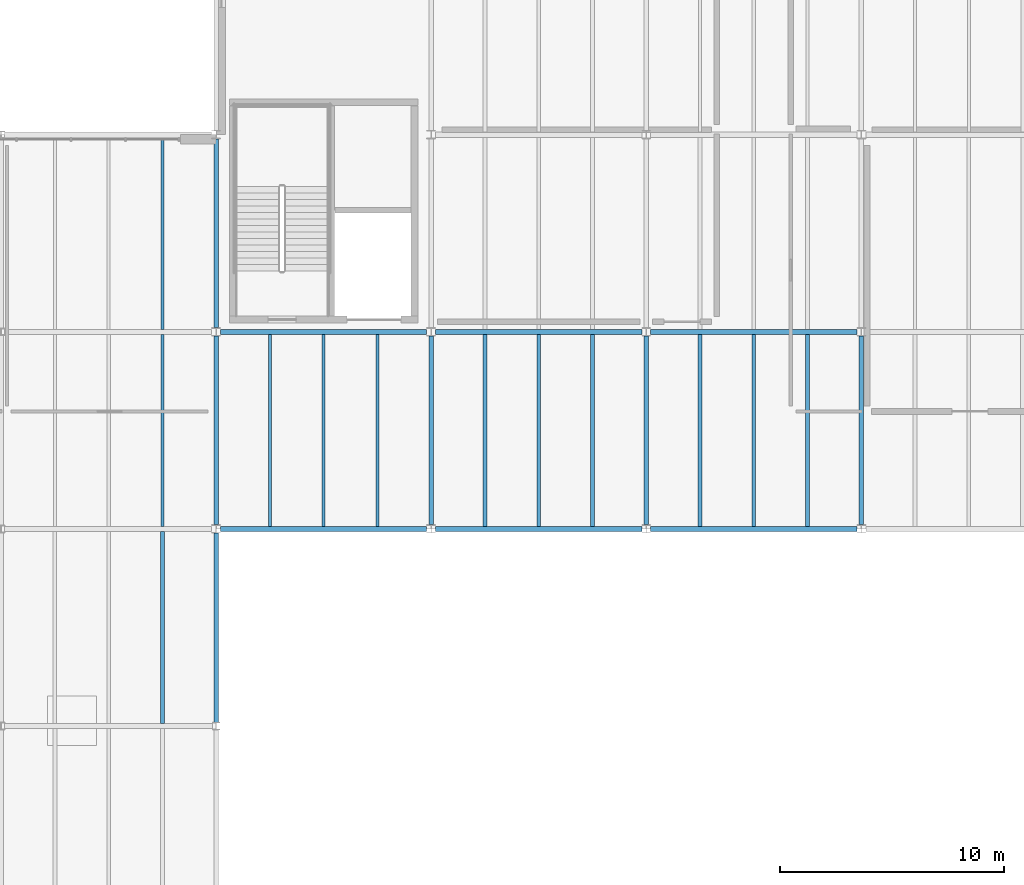
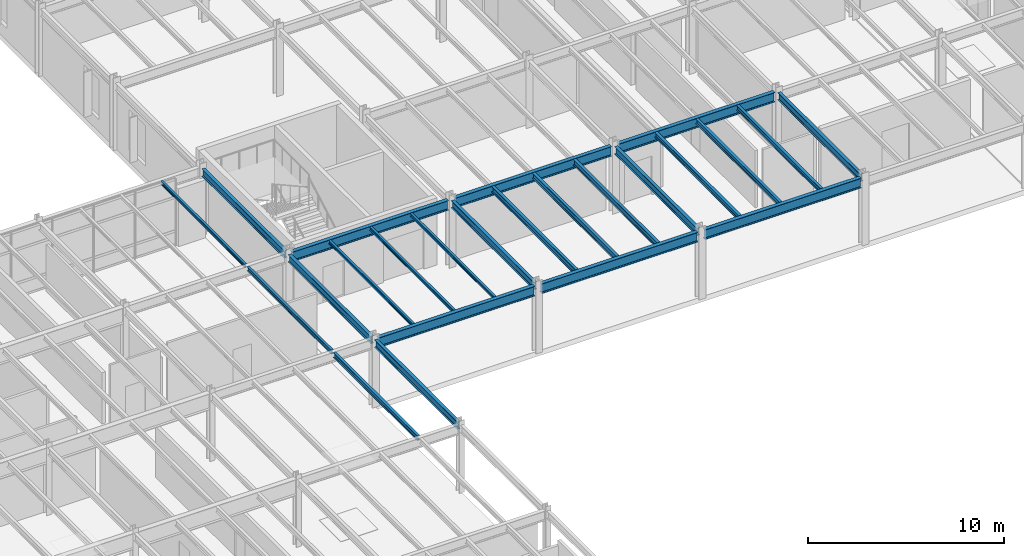
# One storey, part 32 of 77: 24 beams.
"""IFC4 building model written with IfcOpenShell, lengths in metres."""

from ifc_helpers import new_model, si_unit, direction, frame, origin, origin_2d, place, context, subcontext, project, spatial, i_section, extrude, material, material_profile, profile_set, type_object, element, save


model = new_model("IFC4")

# Units and contexts
model_context = context("Model", 3, precision=1e-05, world=origin(), true_north=direction((0.0, 1.0)))
body_context = subcontext(model_context, "Body", "Model", "MODEL_VIEW")
ifc_project = project(units=[si_unit("LENGTHUNIT", "METRE"), si_unit("AREAUNIT", "SQUARE_METRE"), si_unit("VOLUMEUNIT", "CUBIC_METRE"), si_unit("PLANEANGLEUNIT", "RADIAN"), si_unit("MASSUNIT", "GRAM", prefix="KILO")], contexts=[model_context])

# Site, building, storey
site_placement = place(None, origin())
site = spatial("IfcSite", under=ifc_project, at=site_placement, CompositionType="ELEMENT")
building_placement = place(site_placement, origin())
building = spatial("IfcBuilding", under=site, at=building_placement, Name="Sarnbrook Museum", CompositionType="ELEMENT")
storey_placement = place(building_placement, frame((0.0, 0.0, 5.60009765625)))
storey = spatial("IfcBuildingStorey", under=building, at=storey_placement, Name="L01", CompositionType="ELEMENT", Elevation=5.60009765625)

# Beams
ifc_material = material(Name="Structural Steel Grade 300PLUS (AS/NZS 3679.1, fy = 280 MPa for 17 < t <= 40 mm, 300 MPa for t <= 17 mm)", Category="steel")
ifc_material_profile_1 = material_profile(ifc_material, i_section(OverallWidth=0.18994140625, OverallDepth=0.45703125, WebThickness=0.009033203125, FlangeThickness=0.014404296875, FilletRadius=0.011474609375, at=origin_2d()), Name="460UB74.6")
ifc_profile_set_1 = profile_set([ifc_material_profile_1], Name="Structural Steel Grade 300PLUS (AS/NZS 3679.1, fy = 280 MPa for 17 < t <= 40 mm, 300 MPa for t <= 17 mm)")
beam_type_1 = type_object("IfcBeamType", Name="BM-UB460", PredefinedType="BEAM", material=ifc_profile_set_1)
beam_1_placement = place(storey_placement, frame((42.39990234375, 65.763427734375, 3.991455078125), z_axis=(0.0, 1.0, 0.0), x_axis=(-1.0, 0.0, 0.0)))
element("IfcBeam", 1, at=beam_1_placement, inside=storey, type_object=beam_type_1, Name="Girder 5:H-J L01", PredefinedType="BEAM", context=body_context, shape_type="SweptSolid", body=[
    extrude(i_section(OverallWidth=0.18994140625, OverallDepth=0.45703125, WebThickness=0.009033203125, FlangeThickness=0.014404296875, FilletRadius=0.011474609375, at=origin_2d()), origin(), (0.0, 0.0, 1.0), 8.445556640625),
])
for number, where, z_axis, x_axis, name in (
    (2, (42.39990234375, 74.591064453125, 3.951416015625), (0.0, 1.0, 0.0), (-1.0, 0.0, 0.0), "Girder 5:J-K L01"),
    (3, (42.39990234375, 83.39111328125, 3.951416015625), (0.0, 1.0, 0.0), (-1.0, 0.0, 0.0), "Girder 5:K-L L01"),
    (4, (52.0, 74.591064453125, 3.951416015625), (0.0, 1.0, 0.0), (-1.0, 0.0, 0.0), "Girder 6:J-K L01"),
    (5, (61.60009765625, 74.591064453125, 3.951416015625), (0.0, 1.0, 0.0), (-1.0, 0.0, 0.0), "Girder 7:J-K L01"),
    (6, (71.199951171875, 74.591064453125, 3.951416015625), (0.0, 1.0, 0.0), (-1.0, 0.0, 0.0), "Girder 8:J-K L01"),
):
    element("IfcBeam", number, at=place(storey_placement, frame(where, z_axis=z_axis, x_axis=x_axis)), inside=storey, type_object=beam_type_1, Name=name, PredefinedType="BEAM", context=body_context, shape_type="SweptSolid", body=[
        extrude(i_section(OverallWidth=0.18994140625, OverallDepth=0.45703125, WebThickness=0.009033203125, FlangeThickness=0.014404296875, FilletRadius=0.011474609375, at=origin_2d()), origin(), (0.0, 0.0, 1.0), 8.41796875),
    ])
ifc_material_profile_2 = material_profile(ifc_material, i_section(OverallWidth=0.22802734375, OverallDepth=0.60693359375, WebThickness=0.01123046875, FlangeThickness=0.017333984375, FilletRadius=0.013916015625, at=origin_2d()), Name="610UB113")
ifc_profile_set_2 = profile_set([ifc_material_profile_2], Name="Structural Steel Grade 300PLUS (AS/NZS 3679.1, fy = 280 MPa for 17 < t <= 40 mm, 300 MPa for t <= 17 mm)")
beam_type_2 = type_object("IfcBeamType", Name="BM-UB610", PredefinedType="BEAM", material=ifc_profile_set_2)
for number, where, z_axis, x_axis, name in (
    (7, (42.60009765625, 74.39990234375, 3.87646484375), (1.0, 0.0, 0.0), (0.0, 1.0, 0.0), "Girder J:5-6 L01"),
    (8, (52.199951171875, 74.39990234375, 3.87646484375), (1.0, 0.0, 0.0), (0.0, 1.0, 0.0), "Girder J:6-7 L01"),
    (9, (61.800048828125, 74.39990234375, 3.87646484375), (1.0, 0.0, 0.0), (0.0, 1.0, 0.0), "Girder J:7-8 L01"),
    (10, (42.60009765625, 83.199951171875, 3.87646484375), (1.0, 0.0, 0.0), (0.0, 1.0, 0.0), "Girder K:5-6 L01"),
    (11, (52.199951171875, 83.199951171875, 3.87646484375), (1.0, 0.0, 0.0), (0.0, 1.0, 0.0), "Girder K:6-7 L01"),
    (12, (61.800048828125, 83.199951171875, 3.87646484375), (1.0, 0.0, 0.0), (0.0, 1.0, 0.0), "Girder K:7-8 L01"),
):
    element("IfcBeam", number, at=place(storey_placement, frame(where, z_axis=z_axis, x_axis=x_axis)), inside=storey, type_object=beam_type_2, Name=name, PredefinedType="BEAM", context=body_context, shape_type="SweptSolid", body=[
        extrude(i_section(OverallWidth=0.22802734375, OverallDepth=0.60693359375, WebThickness=0.01123046875, FlangeThickness=0.017333984375, FilletRadius=0.013916015625, at=origin_2d()), origin(), (0.0, 0.0, 1.0), 9.199951171875),
    ])
ifc_material_profile_3 = material_profile(ifc_material, i_section(OverallWidth=0.134033203125, OverallDepth=0.20703125, WebThickness=0.00634765625, FlangeThickness=0.009521484375, FilletRadius=0.0087890625, at=origin_2d()), Name="200UB29.8")
ifc_profile_set_3 = profile_set([ifc_material_profile_3], Name="Structural Steel Grade 300PLUS (AS/NZS 3679.1, fy = 280 MPa for 17 < t <= 40 mm, 300 MPa for t <= 17 mm)")
beam_type_3 = type_object("IfcBeamType", Name="JS-UB200", PredefinedType="JOIST", material=ifc_profile_set_3)
for number, where, z_axis, x_axis, name in (
    (13, (40.0, 83.31396484375, 4.116455078125), (0.0, 1.0, 0.0), (-1.0, 0.0, 0.0), "Composite Floor Joist 4K-3 L01"),
    (14, (44.800048828125, 74.513916015625, 4.076416015625), (0.0, 1.0, 0.0), (-1.0, 0.0, 0.0), "Composite Floor Joist 5J-1 L01"),
    (15, (47.199951171875, 74.513916015625, 4.076416015625), (0.0, 1.0, 0.0), (-1.0, 0.0, 0.0), "Composite Floor Joist 5J-2 L01"),
    (16, (49.60009765625, 74.513916015625, 4.076416015625), (0.0, 1.0, 0.0), (-1.0, 0.0, 0.0), "Composite Floor Joist 5J-3 L01"),
):
    element("IfcBeam", number, at=place(storey_placement, frame(where, z_axis=z_axis, x_axis=x_axis)), inside=storey, type_object=beam_type_3, Name=name, PredefinedType="JOIST", context=body_context, shape_type="SweptSolid", body=[
        extrude(i_section(OverallWidth=0.134033203125, OverallDepth=0.20703125, WebThickness=0.00634765625, FlangeThickness=0.009521484375, FilletRadius=0.0087890625, at=origin_2d()), origin(), (0.0, 0.0, 1.0), 8.572021484375),
    ])
ifc_material_profile_4 = material_profile(ifc_material, i_section(OverallWidth=0.14599609375, OverallDepth=0.256103515625, WebThickness=0.00634765625, FlangeThickness=0.010986328125, FilletRadius=0.0087890625, at=origin_2d()), Name="250UB37.3")
ifc_profile_set_4 = profile_set([ifc_material_profile_4], Name="Structural Steel Grade 300PLUS (AS/NZS 3679.1, fy = 280 MPa for 17 < t <= 40 mm, 300 MPa for t <= 17 mm)")
beam_type_4 = type_object("IfcBeamType", Name="JS-UB250", PredefinedType="JOIST", material=ifc_profile_set_4)
beam_2_placement = place(storey_placement, frame((40.0, 74.513916015625, 4.091796875), z_axis=(0.0, 1.0, 0.0), x_axis=(-1.0, 0.0, 0.0)))
element("IfcBeam", 17, at=beam_2_placement, inside=storey, type_object=beam_type_4, Name="Composite Floor Joist 4J-3 L01", PredefinedType="JOIST", context=body_context, shape_type="SweptSolid", body=[
    extrude(i_section(OverallWidth=0.14599609375, OverallDepth=0.256103515625, WebThickness=0.00634765625, FlangeThickness=0.010986328125, FilletRadius=0.0087890625, at=origin_2d()), origin(), (0.0, 0.0, 1.0), 8.572021484375),
])
ifc_material_profile_5 = material_profile(ifc_material, i_section(OverallWidth=0.1650390625, OverallDepth=0.303955078125, WebThickness=0.006103515625, FlangeThickness=0.01025390625, FilletRadius=0.011474609375, at=origin_2d()), Name="310UB40.4")
ifc_profile_set_5 = profile_set([ifc_material_profile_5], Name="Structural Steel Grade 300PLUS (AS/NZS 3679.1, fy = 280 MPa for 17 < t <= 40 mm, 300 MPa for t <= 17 mm)")
beam_type_5 = type_object("IfcBeamType", Name="JS-UB310", PredefinedType="JOIST", material=ifc_profile_set_5)
beam_3_placement = place(storey_placement, frame((40.0, 65.714111328125, 4.06787109375), z_axis=(0.0, 1.0, 0.0), x_axis=(-1.0, 0.0, 0.0)))
element("IfcBeam", 18, at=beam_3_placement, inside=storey, type_object=beam_type_5, Name="Composite Floor Joist 4H-3 L01", PredefinedType="JOIST", context=body_context, shape_type="SweptSolid", body=[
    extrude(i_section(OverallWidth=0.1650390625, OverallDepth=0.303955078125, WebThickness=0.006103515625, FlangeThickness=0.01025390625, FilletRadius=0.011474609375, at=origin_2d()), origin(), (0.0, 0.0, 1.0), 8.57177734375),
])
ifc_material_profile_6 = material_profile(ifc_material, i_section(OverallWidth=0.166015625, OverallDepth=0.306884765625, WebThickness=0.006591796875, FlangeThickness=0.01171875, FilletRadius=0.011474609375, at=origin_2d()), Name="310UB46.2")
ifc_profile_set_6 = profile_set([ifc_material_profile_6], Name="Structural Steel Grade 300PLUS (AS/NZS 3679.1, fy = 280 MPa for 17 < t <= 40 mm, 300 MPa for t <= 17 mm)")
beam_type_6 = type_object("IfcBeamType", Name="JS-UB310H", PredefinedType="JOIST", material=ifc_profile_set_6)
for number, where, z_axis, x_axis, name in (
    (19, (64.0, 74.513916015625, 4.0263671875), (0.0, 1.0, 0.0), (-1.0, 0.0, 0.0), "Composite Floor Joist 7J-1 L01"),
    (20, (66.39990234375, 74.513916015625, 4.0263671875), (0.0, 1.0, 0.0), (-1.0, 0.0, 0.0), "Composite Floor Joist 7J-2 L01"),
    (21, (68.800048828125, 74.513916015625, 4.0263671875), (0.0, 1.0, 0.0), (-1.0, 0.0, 0.0), "Composite Floor Joist 7J-3 L01"),
):
    element("IfcBeam", number, at=place(storey_placement, frame(where, z_axis=z_axis, x_axis=x_axis)), inside=storey, type_object=beam_type_6, Name=name, PredefinedType="JOIST", context=body_context, shape_type="SweptSolid", body=[
        extrude(i_section(OverallWidth=0.166015625, OverallDepth=0.306884765625, WebThickness=0.006591796875, FlangeThickness=0.01171875, FilletRadius=0.011474609375, at=origin_2d()), origin(), (0.0, 0.0, 1.0), 8.572021484375),
    ])
ifc_material_profile_7 = material_profile(ifc_material, i_section(OverallWidth=0.1708984375, OverallDepth=0.35595703125, WebThickness=0.00732421875, FlangeThickness=0.011474609375, FilletRadius=0.011474609375, at=origin_2d()), Name="360UB50.7")
ifc_profile_set_7 = profile_set([ifc_material_profile_7], Name="Structural Steel Grade 300PLUS (AS/NZS 3679.1, fy = 280 MPa for 17 < t <= 40 mm, 300 MPa for t <= 17 mm)")
beam_type_7 = type_object("IfcBeamType", Name="JS-UB360", PredefinedType="JOIST", material=ifc_profile_set_7)
for number, where, z_axis, x_axis, name in (
    (22, (54.39990234375, 74.513916015625, 4.001953125), (0.0, 1.0, 0.0), (-1.0, 0.0, 0.0), "Composite Floor Joist 6J-1 L01"),
    (23, (56.800048828125, 74.513916015625, 4.001953125), (0.0, 1.0, 0.0), (-1.0, 0.0, 0.0), "Composite Floor Joist 6J-2 L01"),
    (24, (59.199951171875, 74.513916015625, 4.001953125), (0.0, 1.0, 0.0), (-1.0, 0.0, 0.0), "Composite Floor Joist 6J-3 L01"),
):
    element("IfcBeam", number, at=place(storey_placement, frame(where, z_axis=z_axis, x_axis=x_axis)), inside=storey, type_object=beam_type_7, Name=name, PredefinedType="JOIST", context=body_context, shape_type="SweptSolid", body=[
        extrude(i_section(OverallWidth=0.1708984375, OverallDepth=0.35595703125, WebThickness=0.00732421875, FlangeThickness=0.011474609375, FilletRadius=0.011474609375, at=origin_2d()), origin(), (0.0, 0.0, 1.0), 8.572021484375),
    ])

save(model, "model.ifc")
